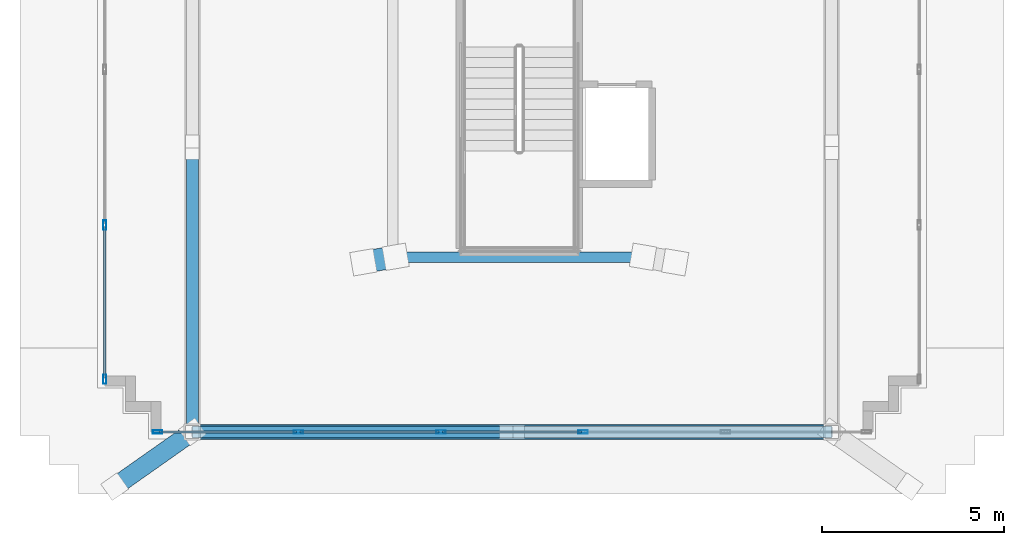
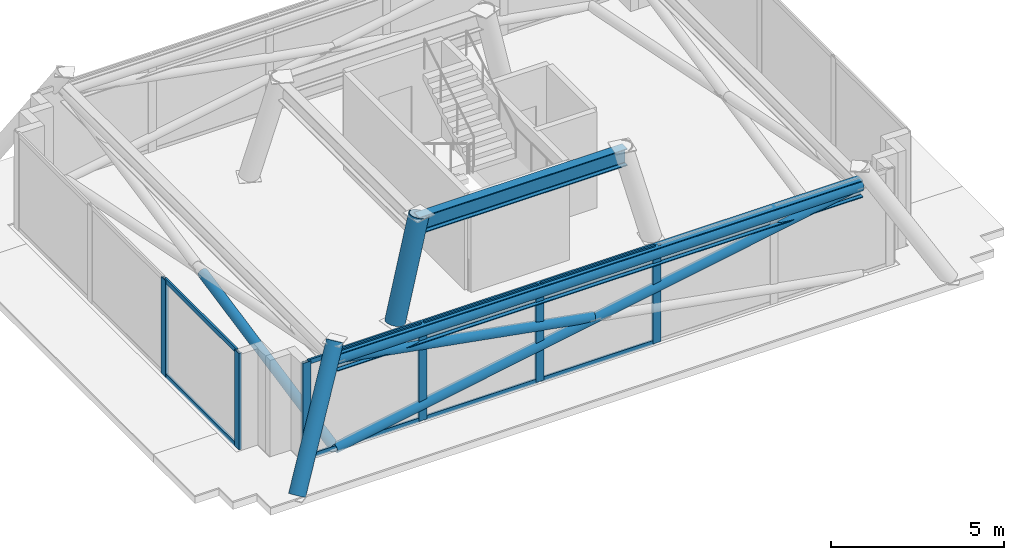
# One storey, part 1 of 8: 20 members, 2 beams, 2 elements without a shape of their own.
"""IFC4 building model written with IfcOpenShell, lengths in metres."""

from ifc_helpers import new_model, si_unit, direction, frame, origin, origin_2d, place, context, subcontext, project, spatial, hollow_rectangle, hollow_circle, i_section, extrude, material, layer, layer_set, material_profile, profile_set, type_object, element, aggregate, save


model = new_model("IFC4")

# Units and contexts
model_context = context("Model", 3, precision=1e-05, world=origin(), true_north=direction((0.0, 1.0)))
body_context = subcontext(model_context, "Body", "Model", "MODEL_VIEW")
ifc_project = project(units=[si_unit("LENGTHUNIT", "METRE"), si_unit("AREAUNIT", "SQUARE_METRE"), si_unit("VOLUMEUNIT", "CUBIC_METRE"), si_unit("PLANEANGLEUNIT", "RADIAN"), si_unit("MASSUNIT", "GRAM", prefix="KILO")], contexts=[model_context])

# Site, building, storey
site_placement = place(None, origin())
site = spatial("IfcSite", under=ifc_project, at=site_placement, CompositionType="ELEMENT")
building_placement = place(site_placement, origin())
building = spatial("IfcBuilding", under=site, at=building_placement, Name="Qobustan Lattice House", CompositionType="ELEMENT")
storey_placement = place(building_placement, frame((0.0, 0.0, 289.199951171875)))
storey = spatial("IfcBuildingStorey", under=building, at=storey_placement, Name="L81", CompositionType="ELEMENT", Elevation=289.199951171875)

# Beams
ifc_material_1 = material(Name="Steel S355", Category="steel")
ifc_material_profile_1 = material_profile(ifc_material_1, i_section(OverallWidth=0.300048828125, OverallDepth=0.60009765625, WebThickness=0.015380859375, FlangeThickness=0.030029296875, FilletRadius=0.027099609375, at=origin_2d()), Name="HEB600")
ifc_profile_set_1 = profile_set([ifc_material_profile_1], Name="Steel S355")
beam_type = type_object("IfcBeamType", Name="BM-POD-HEB600", PredefinedType="USERDEFINED", material=ifc_profile_set_1)
beam_1_placement = place(storey_placement, frame((-3.470458984375, -4.617919921875, 3.10009765625), z_axis=(1.0, 0.0, 0.0), x_axis=(0.0, 1.0, 0.0)))
element("IfcBeam", 1, at=beam_1_placement, inside=storey, type_object=beam_type, Name="L81 crown support ring girder 1", ObjectType="GIRDER", PredefinedType="USERDEFINED", context=body_context, shape_type="SweptSolid", body=[
    extrude(i_section(OverallWidth=0.300048828125, OverallDepth=0.60009765625, WebThickness=0.015380859375, FlangeThickness=0.030029296875, FilletRadius=0.027099609375, at=origin_2d()), origin(), (0.0, 0.0, 1.0), 6.94091796875),
])
beam_2_placement = place(storey_placement, frame((-8.966552734375, -9.408447265625, 3.10009765625), z_axis=(1.0, 0.0, 0.0), x_axis=(0.0, 1.0, 0.0)))
element("IfcBeam", 2, at=beam_2_placement, inside=storey, type_object=beam_type, Name="L81 crown perimeter ring beam 1", ObjectType="GIRDER", PredefinedType="USERDEFINED", context=body_context, shape_type="SweptSolid", body=[
    extrude(i_section(OverallWidth=0.300048828125, OverallDepth=0.60009765625, WebThickness=0.015380859375, FlangeThickness=0.030029296875, FilletRadius=0.027099609375, at=origin_2d()), origin(), (0.0, 0.0, 1.0), 17.532958984375),
])

# Curtain wall, members
ifc_material_2 = material(Name="Anodised aluminium and low-E glazing", Category="aluminium")
ifc_layer = layer(ifc_material_2, 0.219970703125)
ifc_layer_set = layer_set([ifc_layer], Name="Anodised aluminium and low-E glazing")
curtain_wall_type = type_object("IfcCurtainWallType", Name="CW-CRN-01", PredefinedType="USERDEFINED", material=ifc_layer_set)
curtain_wall_1_placement = place(storey_placement, origin())
curtain_wall_1 = element("IfcCurtainWall", 3, at=curtain_wall_1_placement, inside=storey, type_object=curtain_wall_type, Name="L81 glass-point crown faceted curtain wall 5", ObjectType="CURTAIN WALL", PredefinedType="USERDEFINED")
ifc_material_3 = material(Name="Anodised aluminium EN AW-6063 T6", Category="aluminium")
ifc_material_profile_2 = material_profile(ifc_material_3, hollow_rectangle(XDim=0.090087890625, YDim=0.260009765625, WallThickness=0.006103515625, at=origin_2d()), Name="CWM-CROWN-260x90")
ifc_profile_set_2 = profile_set([ifc_material_profile_2], Name="Anodised aluminium EN AW-6063 T6")
member_type_1 = type_object("IfcMemberType", Name="CWM-CRN-260", PredefinedType="MULLION", material=ifc_profile_set_2)
member_1_placement = place(storey_placement, frame((-11.366455078125, -7.96337890625, 0.0), z_axis=(0.0, 0.0, 1.0), x_axis=(-1.0, 0.0, 0.0)))
member_1 = element("IfcMember", 4, at=member_1_placement, type_object=member_type_1, Name="CW-CR mullion 1", PredefinedType="MULLION", context=body_context, shape_type="SweptSolid", body=[
    extrude(hollow_rectangle(XDim=0.090087890625, YDim=0.260009765625, WallThickness=0.006103515625, at=origin_2d()), origin(), (0.0, 0.0, 1.0), 3.400146484375),
])
member_2_placement = place(storey_placement, frame((-11.366455078125, -3.736083984375, 0.0), z_axis=(0.0, 0.0, 1.0), x_axis=(-1.0, 0.0, 0.0)))
member_2 = element("IfcMember", 5, at=member_2_placement, type_object=member_type_1, Name="CW-CR mullion 2", PredefinedType="MULLION", context=body_context, shape_type="SweptSolid", body=[
    extrude(hollow_rectangle(XDim=0.090087890625, YDim=0.260009765625, WallThickness=0.006103515625, at=origin_2d()), origin(), (0.0, 0.0, 1.0), 3.400146484375),
])

curtain_wall_2_placement = place(storey_placement, origin())
curtain_wall_2 = element("IfcCurtainWall", 6, at=curtain_wall_2_placement, inside=storey, type_object=curtain_wall_type, Name="L81 glass-point crown faceted curtain wall 20", ObjectType="CURTAIN WALL", PredefinedType="USERDEFINED")
member_3_placement = place(storey_placement, frame((1.75341796875, -9.408447265625, 0.0), z_axis=(0.0, 0.0, 1.0), x_axis=(0.0, -1.0, 0.0)))
member_3 = element("IfcMember", 7, at=member_3_placement, type_object=member_type_1, Name="CW-CR mullion 3", PredefinedType="MULLION", context=body_context, shape_type="SweptSolid", body=[
    extrude(hollow_rectangle(XDim=0.090087890625, YDim=0.260009765625, WallThickness=0.006103515625, at=origin_2d()), origin(), (0.0, 0.0, 1.0), 3.400146484375),
])
member_4_placement = place(storey_placement, frame((-2.1533203125, -9.408447265625, 0.0), z_axis=(0.0, 0.0, 1.0), x_axis=(0.0, -1.0, 0.0)))
member_4 = element("IfcMember", 8, at=member_4_placement, type_object=member_type_1, Name="CW-CR mullion 4", PredefinedType="MULLION", context=body_context, shape_type="SweptSolid", body=[
    extrude(hollow_rectangle(XDim=0.090087890625, YDim=0.260009765625, WallThickness=0.006103515625, at=origin_2d()), origin(), (0.0, 0.0, 1.0), 3.400146484375),
])
member_5_placement = place(storey_placement, frame((-6.059814453125, -9.408447265625, 0.0), z_axis=(0.0, 0.0, 1.0), x_axis=(0.0, -1.0, 0.0)))
member_5 = element("IfcMember", 9, at=member_5_placement, type_object=member_type_1, Name="CW-CR mullion 5", PredefinedType="MULLION", context=body_context, shape_type="SweptSolid", body=[
    extrude(hollow_rectangle(XDim=0.090087890625, YDim=0.260009765625, WallThickness=0.006103515625, at=origin_2d()), origin(), (0.0, 0.0, 1.0), 3.400146484375),
])
member_6_placement = place(storey_placement, frame((-9.92138671875, -9.408447265625, 0.0), z_axis=(0.0, 0.0, 1.0), x_axis=(0.0, -1.0, 0.0)))
member_6 = element("IfcMember", 10, at=member_6_placement, type_object=member_type_1, Name="CW-CR mullion 6", PredefinedType="MULLION", context=body_context, shape_type="SweptSolid", body=[
    extrude(hollow_rectangle(XDim=0.090087890625, YDim=0.260009765625, WallThickness=0.006103515625, at=origin_2d()), origin(), (0.0, 0.0, 1.0), 3.400146484375),
])

# Member
ifc_material_4 = material(Name="Anodised aluminium EN AW-6063 T6", Category="aluminium")
ifc_material_profile_3 = material_profile(ifc_material_4, hollow_rectangle(XDim=0.06494140625, YDim=0.159912109375, WallThickness=0.00390625, at=origin_2d()), Name="CWT-160x65")
ifc_profile_set_3 = profile_set([ifc_material_profile_3], Name="Anodised aluminium EN AW-6063 T6")
member_type_2 = type_object("IfcMemberType", Name="CWT-HOR-160", PredefinedType="USERDEFINED", material=ifc_profile_set_3)
member_7_placement = place(storey_placement, frame((-11.366455078125, -7.91845703125, 0.032470703125), z_axis=(0.0, 1.0, 0.0), x_axis=(-1.0, 0.0, 0.0)))
member_7 = element("IfcMember", 11, at=member_7_placement, type_object=member_type_2, Name="CW-CR transom 1.1", ObjectType="TRANSOM", PredefinedType="USERDEFINED", context=body_context, shape_type="SweptSolid", body=[
    extrude(hollow_rectangle(XDim=0.06494140625, YDim=0.159912109375, WallThickness=0.00390625, at=origin_2d()), origin(), (0.0, 0.0, 1.0), 4.13720703125),
])

member_8_placement = place(storey_placement, frame((-11.366455078125, -7.91845703125, 3.367431640625), z_axis=(0.0, 1.0, 0.0), x_axis=(-1.0, 0.0, 0.0)))
member_8 = element("IfcMember", 12, at=member_8_placement, type_object=member_type_2, Name="CW-CR transom 1.2", ObjectType="TRANSOM", PredefinedType="USERDEFINED", context=body_context, shape_type="SweptSolid", body=[
    extrude(hollow_rectangle(XDim=0.06494140625, YDim=0.159912109375, WallThickness=0.00390625, at=origin_2d()), origin(), (0.0, 0.0, 1.0), 4.13720703125),
])

aggregate(curtain_wall_1, [member_1, member_2, member_7, member_8])

member_9_placement = place(storey_placement, frame((1.708251953125, -9.408447265625, 0.032470703125), z_axis=(-1.0, 0.0, 0.0), x_axis=(0.0, -1.0, 0.0)))
member_9 = element("IfcMember", 13, at=member_9_placement, type_object=member_type_2, Name="CW-CR transom 3.1", ObjectType="TRANSOM", PredefinedType="USERDEFINED", context=body_context, shape_type="SweptSolid", body=[
    extrude(hollow_rectangle(XDim=0.06494140625, YDim=0.159912109375, WallThickness=0.00390625, at=origin_2d()), origin(), (0.0, 0.0, 1.0), 3.816650390625),
])

member_10_placement = place(storey_placement, frame((1.708251953125, -9.408447265625, 3.367431640625), z_axis=(-1.0, 0.0, 0.0), x_axis=(0.0, -1.0, 0.0)))
member_10 = element("IfcMember", 14, at=member_10_placement, type_object=member_type_2, Name="CW-CR transom 3.2", ObjectType="TRANSOM", PredefinedType="USERDEFINED", context=body_context, shape_type="SweptSolid", body=[
    extrude(hollow_rectangle(XDim=0.06494140625, YDim=0.159912109375, WallThickness=0.00390625, at=origin_2d()), origin(), (0.0, 0.0, 1.0), 3.816650390625),
])

member_11_placement = place(storey_placement, frame((-2.1982421875, -9.408447265625, 0.032470703125), z_axis=(-1.0, 0.0, 0.0), x_axis=(0.0, -1.0, 0.0)))
member_11 = element("IfcMember", 15, at=member_11_placement, type_object=member_type_2, Name="CW-CR transom 4.1", ObjectType="TRANSOM", PredefinedType="USERDEFINED", context=body_context, shape_type="SweptSolid", body=[
    extrude(hollow_rectangle(XDim=0.06494140625, YDim=0.159912109375, WallThickness=0.00390625, at=origin_2d()), origin(), (0.0, 0.0, 1.0), 3.816650390625),
])

member_12_placement = place(storey_placement, frame((-2.1982421875, -9.408447265625, 3.367431640625), z_axis=(-1.0, 0.0, 0.0), x_axis=(0.0, -1.0, 0.0)))
member_12 = element("IfcMember", 16, at=member_12_placement, type_object=member_type_2, Name="CW-CR transom 4.2", ObjectType="TRANSOM", PredefinedType="USERDEFINED", context=body_context, shape_type="SweptSolid", body=[
    extrude(hollow_rectangle(XDim=0.06494140625, YDim=0.159912109375, WallThickness=0.00390625, at=origin_2d()), origin(), (0.0, 0.0, 1.0), 3.816650390625),
])

member_13_placement = place(storey_placement, frame((-6.10498046875, -9.408447265625, 0.032470703125), z_axis=(-1.0, 0.0, 0.0), x_axis=(0.0, -1.0, 0.0)))
member_13 = element("IfcMember", 17, at=member_13_placement, type_object=member_type_2, Name="CW-CR transom 5.1", ObjectType="TRANSOM", PredefinedType="USERDEFINED", context=body_context, shape_type="SweptSolid", body=[
    extrude(hollow_rectangle(XDim=0.06494140625, YDim=0.159912109375, WallThickness=0.00390625, at=origin_2d()), origin(), (0.0, 0.0, 1.0), 3.771484375),
])

member_14_placement = place(storey_placement, frame((-6.10498046875, -9.408447265625, 3.367431640625), z_axis=(-1.0, 0.0, 0.0), x_axis=(0.0, -1.0, 0.0)))
member_14 = element("IfcMember", 18, at=member_14_placement, type_object=member_type_2, Name="CW-CR transom 5.2", ObjectType="TRANSOM", PredefinedType="USERDEFINED", context=body_context, shape_type="SweptSolid", body=[
    extrude(hollow_rectangle(XDim=0.06494140625, YDim=0.159912109375, WallThickness=0.00390625, at=origin_2d()), origin(), (0.0, 0.0, 1.0), 3.771484375),
])

aggregate(curtain_wall_2, [member_3, member_4, member_5, member_6, member_9, member_10, member_11, member_12, member_13, member_14])

# Members
ifc_material_5 = material(Name="Steel S355", Category="steel")
ifc_material_profile_4 = material_profile(ifc_material_5, hollow_circle(Radius=0.161865234375, WallThickness=0.012451171875, at=origin_2d()), Name="CHS323.9x12.5")
ifc_profile_set_4 = profile_set([ifc_material_profile_4], Name="Steel S355")
member_type_3 = type_object("IfcMemberType", Name="MEM-CBR-CHS324", PredefinedType="BRACE", material=ifc_profile_set_4)
member_15_placement = place(storey_placement, frame((-8.966552734375, -9.408447265625, 0.01513671875), z_axis=(0.98409647917, 0.0, 0.177634793003), x_axis=(0.0, 1.0, 0.0)))
element("IfcMember", 19, at=member_15_placement, inside=storey, type_object=member_type_3, Name="L81 crown diagrid continuous brace 1A", PredefinedType="BRACE", context=body_context, shape_type="SweptSolid", body=[
    extrude(hollow_circle(Radius=0.161865234375, WallThickness=0.012451171875, at=origin_2d()), origin(), (0.0, 0.0, 1.0), 17.81640625),
])
member_16_placement = place(storey_placement, frame((-0.365234375, -9.408447265625, 1.62744140625), z_axis=(-0.984098373943, 0.0, 0.177624295646), x_axis=(0.0, -1.0, 0.0)))
element("IfcMember", 20, at=member_16_placement, inside=storey, type_object=member_type_3, Name="L81 crown diagrid split brace 1B upper", PredefinedType="BRACE", context=body_context, shape_type="SweptSolid", body=[
    extrude(hollow_circle(Radius=0.161865234375, WallThickness=0.012451171875, at=origin_2d()), origin(), (0.0, 0.0, 1.0), 8.740234375),
])
member_17_placement = place(storey_placement, frame((-8.966552734375, -9.408447265625, 0.01513671875), z_axis=(0.0, 0.980076624288, 0.198619763682), x_axis=(-1.0, 0.0, 0.0)))
element("IfcMember", 21, at=member_17_placement, inside=storey, type_object=member_type_3, Name="L81 crown diagrid split brace 4B lower", PredefinedType="BRACE", context=body_context, shape_type="SweptSolid", body=[
    extrude(hollow_circle(Radius=0.161865234375, WallThickness=0.012451171875, at=origin_2d()), origin(), (0.0, 0.0, 1.0), 7.799072265625),
])
ifc_material_6 = material(Name="Steel S355", Category="steel")
ifc_material_profile_5 = material_profile(ifc_material_6, hollow_circle(Radius=0.203125, WallThickness=0.01611328125, at=origin_2d()), Name="CHS406.4x16")
ifc_profile_set_5 = profile_set([ifc_material_profile_5], Name="Steel S355")
member_type_4 = type_object("IfcMemberType", Name="MEM-RNG-CHS406", PredefinedType="CHORD", material=ifc_profile_set_5)
member_18_placement = place(storey_placement, frame((-8.966552734375, -9.408447265625, 3.179931640625), z_axis=(1.0, 0.0, 0.0), x_axis=(0.0, 1.0, 0.0)))
element("IfcMember", 22, at=member_18_placement, inside=storey, type_object=member_type_4, Name="L81 crown ring chord 1", PredefinedType="CHORD", context=body_context, shape_type="SweptSolid", body=[
    extrude(hollow_circle(Radius=0.203125, WallThickness=0.01611328125, at=origin_2d()), origin(), (0.0, 0.0, 1.0), 17.532958984375),
])
ifc_material_7 = material(Name="Steel S355", Category="steel")
ifc_material_profile_6 = material_profile(ifc_material_7, hollow_circle(Radius=0.304931640625, WallThickness=0.02490234375, at=origin_2d()), Name="CHS610x25")
ifc_profile_set_6 = profile_set([ifc_material_profile_6], Name="Steel S355")
member_type_5 = type_object("IfcMemberType", Name="MEM-SPR-CHS610", PredefinedType="USERDEFINED", material=ifc_profile_set_6)
member_19_placement = place(storey_placement, frame((-4.274169921875, -4.755615234375, 0.0), z_axis=(0.25074949261, 0.042983643291, 0.96709725383), x_axis=(-0.168956239166, 0.985623553517, 0.0)))
element("IfcMember", 23, at=member_19_placement, inside=storey, type_object=member_type_5, Name="L81 crown spire leg SL1", ObjectType="CROWN FRAME", PredefinedType="USERDEFINED", context=body_context, shape_type="SweptSolid", body=[
    extrude(hollow_circle(Radius=0.304931640625, WallThickness=0.02490234375, at=origin_2d()), origin(), (0.0, 0.0, 1.0), 3.515869140625),
])
ifc_material_8 = material(Name="Steel S355", Category="steel")
ifc_material_profile_7 = material_profile(ifc_material_8, hollow_circle(Radius=0.25390625, WallThickness=0.02001953125, at=origin_2d()), Name="CHS508x20")
ifc_profile_set_7 = profile_set([ifc_material_profile_7], Name="Steel S355")
member_type_6 = type_object("IfcMemberType", Name="MEM-STR-CHS508", PredefinedType="STRUT", material=ifc_profile_set_7)
member_20_placement = place(storey_placement, frame((-11.093505859375, -10.906494140625, 0.0), z_axis=(0.461852718006, 0.325290206346, 0.825153530276), x_axis=(-0.575828097695, 0.817570793207, 0.0)))
element("IfcMember", 24, at=member_20_placement, inside=storey, type_object=member_type_6, Name="L81 crown corner raking strut 1", PredefinedType="STRUT", context=body_context, shape_type="SweptSolid", body=[
    extrude(hollow_circle(Radius=0.25390625, WallThickness=0.02001953125, at=origin_2d()), origin(), (0.0, 0.0, 1.0), 4.605224609375),
])

save(model, "model.ifc")
